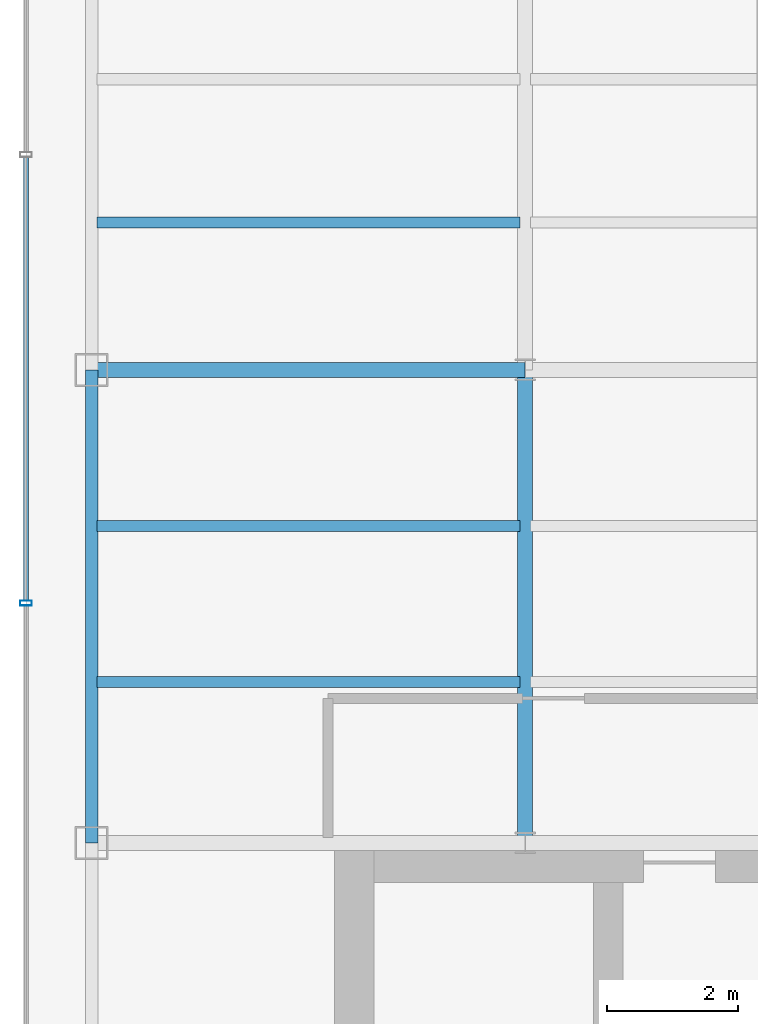
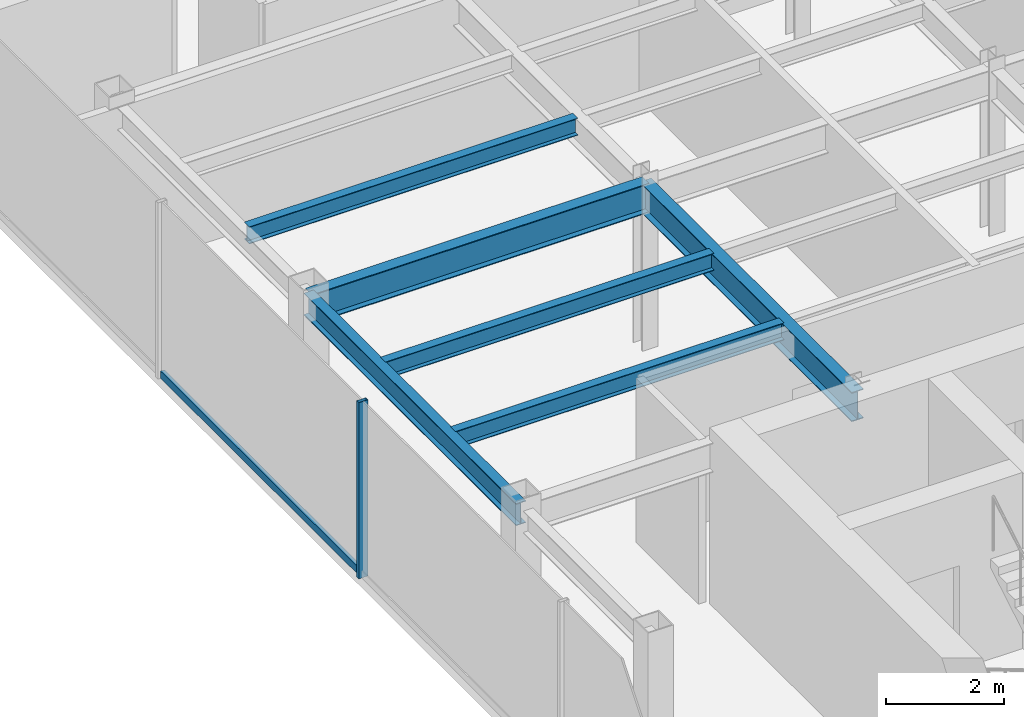
# One storey, part 5 of 22: 6 beams, 2 members, 1 element without a shape of its own.
"""IFC4 building model written with IfcOpenShell, lengths in metres."""

from ifc_helpers import new_model, si_unit, derived_unit, direction, frame, origin, origin_2d, place, context, subcontext, project, spatial, hollow_rectangle, i_section, extrude, source, transform, mapped, material, material_profile, profile_set, type_object, element, aggregate, save


model = new_model("IFC4")

# Units and contexts
model_context = context("Model", 3, precision=1e-05, world=origin(), true_north=direction((0.0, 1.0)))
body_context = subcontext(model_context, "Body", "Model", "MODEL_VIEW")
ifc_project = project(units=[si_unit("LENGTHUNIT", "METRE"), si_unit("AREAUNIT", "SQUARE_METRE"), si_unit("VOLUMEUNIT", "CUBIC_METRE"), si_unit("PLANEANGLEUNIT", "RADIAN"), si_unit("MASSUNIT", "GRAM", prefix="KILO"), derived_unit("THERMALTRANSMITTANCEUNIT", [(si_unit("POWERUNIT", "WATT"), 1), (si_unit("LENGTHUNIT", "METRE"), -2), (si_unit("THERMODYNAMICTEMPERATUREUNIT", "KELVIN"), -1)])], contexts=[model_context])

# Site, building, storey
site_placement = place(None, origin())
site = spatial("IfcSite", under=ifc_project, at=site_placement, CompositionType="ELEMENT")
building_placement = place(site_placement, origin())
building = spatial("IfcBuilding", under=site, at=building_placement, Name="Skarnbrae Concourse Arena and Tower", CompositionType="ELEMENT")
storey_placement = place(building_placement, frame((0.0, 0.0, 214.14990234375)))
storey = spatial("IfcBuildingStorey", under=building, at=storey_placement, Name="L55", CompositionType="ELEMENT", Elevation=214.14990234375)

# Beams
ifc_material_1 = material(Name="Steel CSA G40.21 350W", Category="steel")
ifc_material_profile_1 = material_profile(ifc_material_1, i_section(OverallWidth=0.22802734375, OverallDepth=0.60791015625, WebThickness=0.01123046875, FlangeThickness=0.017333984375, at=origin_2d()), Name="W610X113")
ifc_profile_set_1 = profile_set([ifc_material_profile_1], Name="Steel CSA G40.21 350W")
beam_type_1 = type_object("IfcBeamType", Name="BM-GIRD-W610X113", PredefinedType="BEAM", material=ifc_profile_set_1)
shared_shape_1 = source(origin(), body_context, "Body", "SweptSolid", [
    extrude(i_section(OverallWidth=0.22802734375, OverallDepth=0.60791015625, WebThickness=0.01123046875, FlangeThickness=0.017333984375, at=origin_2d()), origin(), (0.0, 0.0, 1.0), 6.60009765625),
])
beam_1_placement = place(storey_placement, frame((1.0, 21.199951171875, 3.09619140625), z_axis=(1.0, 0.0, 0.0), x_axis=(0.0, 1.0, 0.0)))
element("IfcBeam", 1, at=beam_1_placement, inside=storey, type_object=beam_type_1, Name="L55 Primary E-W girder Y21.2-1", PredefinedType="BEAM", context=body_context, shape_type="MappedRepresentation", body=[
    mapped(shared_shape_1, transform((0.0, 0.0, 0.0))),
])
ifc_material_profile_2 = material_profile(ifc_material_1, i_section(OverallWidth=0.19091796875, OverallDepth=0.4599609375, WebThickness=0.010009765625, FlangeThickness=0.01611328125, at=origin_2d()), Name="W460X82")
ifc_profile_set_2 = profile_set([ifc_material_profile_2], Name="Steel CSA G40.21 350W")
beam_type_2 = type_object("IfcBeamType", Name="BM-SPAN-W460X82", PredefinedType="SPANDREL", material=ifc_profile_set_2)
shared_shape_2 = source(origin(), body_context, "Body", "SweptSolid", [
    extrude(i_section(OverallWidth=0.19091796875, OverallDepth=0.4599609375, WebThickness=0.010009765625, FlangeThickness=0.01611328125, at=origin_2d()), origin(), (0.0, 0.0, 1.0), 7.199951171875),
])
beam_2_placement = place(storey_placement, frame((1.0, 14.0, 3.170166015625), z_axis=(0.0, 1.0, 0.0), x_axis=(-1.0, 0.0, 0.0)))
element("IfcBeam", 2, at=beam_2_placement, inside=storey, type_object=beam_type_2, Name="L55 Perimeter spandrel X1.0-2", PredefinedType="SPANDREL", context=body_context, shape_type="MappedRepresentation", body=[
    mapped(shared_shape_2, transform((0.0, 0.0, 0.0))),
])
shared_shape_3 = source(origin(), body_context, "Body", "SweptSolid", [
    extrude(i_section(OverallWidth=0.22802734375, OverallDepth=0.60791015625, WebThickness=0.01123046875, FlangeThickness=0.017333984375, at=origin_2d()), origin(), (0.0, 0.0, 1.0), 7.199951171875),
])
beam_3_placement = place(storey_placement, frame((7.60009765625, 14.0, 3.09619140625), z_axis=(0.0, 1.0, 0.0), x_axis=(-1.0, 0.0, 0.0)))
element("IfcBeam", 3, at=beam_3_placement, inside=storey, type_object=beam_type_1, Name="L55 Primary N-S girder X7.6-1", PredefinedType="BEAM", context=body_context, shape_type="MappedRepresentation", body=[
    mapped(shared_shape_3, transform((0.0, 0.0, 0.0))),
])
ifc_material_profile_3 = material_profile(ifc_material_1, i_section(OverallWidth=0.1708984375, OverallDepth=0.35498046875, WebThickness=0.007080078125, FlangeThickness=0.01171875, at=origin_2d()), Name="W360X51")
ifc_profile_set_3 = profile_set([ifc_material_profile_3], Name="Steel CSA G40.21 350W")
beam_type_3 = type_object("IfcBeamType", Name="BM-JOIST-W360X51", PredefinedType="JOIST", material=ifc_profile_set_3)
shared_shape_4 = source(origin(), body_context, "Body", "SweptSolid", [
    extrude(i_section(OverallWidth=0.1708984375, OverallDepth=0.35498046875, WebThickness=0.007080078125, FlangeThickness=0.01171875, at=origin_2d()), origin(), (0.0, 0.0, 1.0), 6.43994140625),
])
for number, where, z_axis, x_axis, name in (
    (4, (1.080078125, 16.447998046875, 3.22265625), (1.0, 0.0, 0.0), (0.0, 1.0, 0.0), "L55 Secondary floor joist 1.1.1"),
    (5, (1.080078125, 18.823974609375, 3.22265625), (1.0, 0.0, 0.0), (0.0, 1.0, 0.0), "L55 Secondary floor joist 1.2.1"),
    (6, (1.080078125, 23.444091796875, 3.22265625), (1.0, 0.0, 0.0), (0.0, 1.0, 0.0), "L55 Secondary floor joist 2.1.1"),
):
    element("IfcBeam", number, at=place(storey_placement, frame(where, z_axis=z_axis, x_axis=x_axis)), inside=storey, type_object=beam_type_3, Name=name, PredefinedType="JOIST", context=body_context, shape_type="MappedRepresentation", body=[
        mapped(shared_shape_4, transform((0.0, 0.0, 0.0))),
    ])

# Curtain wall, members
ifc_material_2 = material(Name="Bronze anodised aluminium 6063-T6", Category="aluminium")
curtain_wall_type = type_object("IfcCurtainWallType", Name="CW-SYS-05-HIGHZONE", PredefinedType="USERDEFINED", material=ifc_material_2)
curtain_wall_placement = place(storey_placement, origin())
curtain_wall = element("IfcCurtainWall", 7, at=curtain_wall_placement, inside=storey, type_object=curtain_wall_type, Name="L55 Unitised curtain wall CW-L55-E18", ObjectType="UNITISED CURTAIN WALL", PredefinedType="USERDEFINED")
ifc_material_profile_4 = material_profile(ifc_material_2, hollow_rectangle(XDim=0.074951171875, YDim=0.14990234375, WallThickness=0.00390625, at=origin_2d()), Name="ALU-TRAN-75X150")
ifc_profile_set_4 = profile_set([ifc_material_profile_4], Name="Bronze anodised aluminium 6063-T6")
member_type_1 = type_object("IfcMemberType", Name="CWT-CW-05", PredefinedType="USERDEFINED", material=ifc_profile_set_4)
shared_shape_5 = source(origin(), body_context, "Body", "SweptSolid", [
    extrude(hollow_rectangle(XDim=0.074951171875, YDim=0.14990234375, WallThickness=0.00390625, at=origin_2d()), origin(), (0.0, 0.0, 1.0), 6.75),
])
member_1_placement = place(storey_placement, frame((0.0, 24.4375, 0.0751953125), z_axis=(0.0, -1.0, 0.0), x_axis=(1.0, 0.0, 0.0)))
member_1 = element("IfcMember", 8, at=member_1_placement, type_object=member_type_1, Name="CW-L55-E18 Transom 2", ObjectType="TRANSOM", PredefinedType="USERDEFINED", context=body_context, shape_type="MappedRepresentation", body=[
    mapped(shared_shape_5, transform((0.0, 0.0, 0.0))),
])
ifc_material_profile_5 = material_profile(ifc_material_2, hollow_rectangle(XDim=0.074951171875, YDim=0.179931640625, WallThickness=0.00390625, at=origin_2d()), Name="ALU-MULL-75X180")
ifc_profile_set_5 = profile_set([ifc_material_profile_5], Name="Bronze anodised aluminium 6063-T6")
member_type_2 = type_object("IfcMemberType", Name="CWM-CW-05", PredefinedType="MULLION", material=ifc_profile_set_5)
shared_shape_6 = source(origin(), body_context, "Body", "SweptSolid", [
    extrude(hollow_rectangle(XDim=0.074951171875, YDim=0.179931640625, WallThickness=0.00390625, at=origin_2d()), origin(), (0.0, 0.0, 1.0), 3.650146484375),
])
member_2_placement = place(storey_placement, frame((0.0, 17.64990234375, 0.0), z_axis=(0.0, 0.0, 1.0), x_axis=(0.0, -1.0, 0.0)))
member_2 = element("IfcMember", 9, at=member_2_placement, type_object=member_type_2, Name="CW-L55-E18 Mullion 3", PredefinedType="MULLION", context=body_context, shape_type="MappedRepresentation", body=[
    mapped(shared_shape_6, transform((0.0, 0.0, 0.0))),
])
aggregate(curtain_wall, [member_2, member_1])

save(model, "model.ifc")
